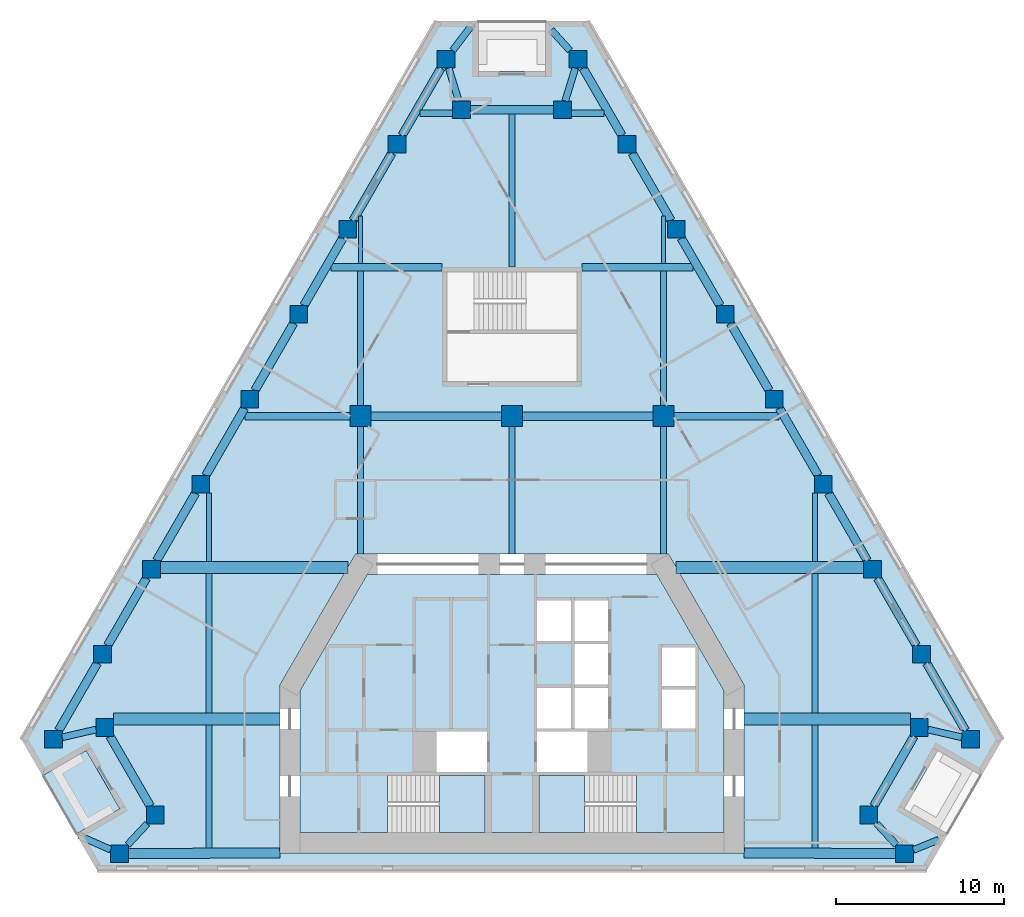
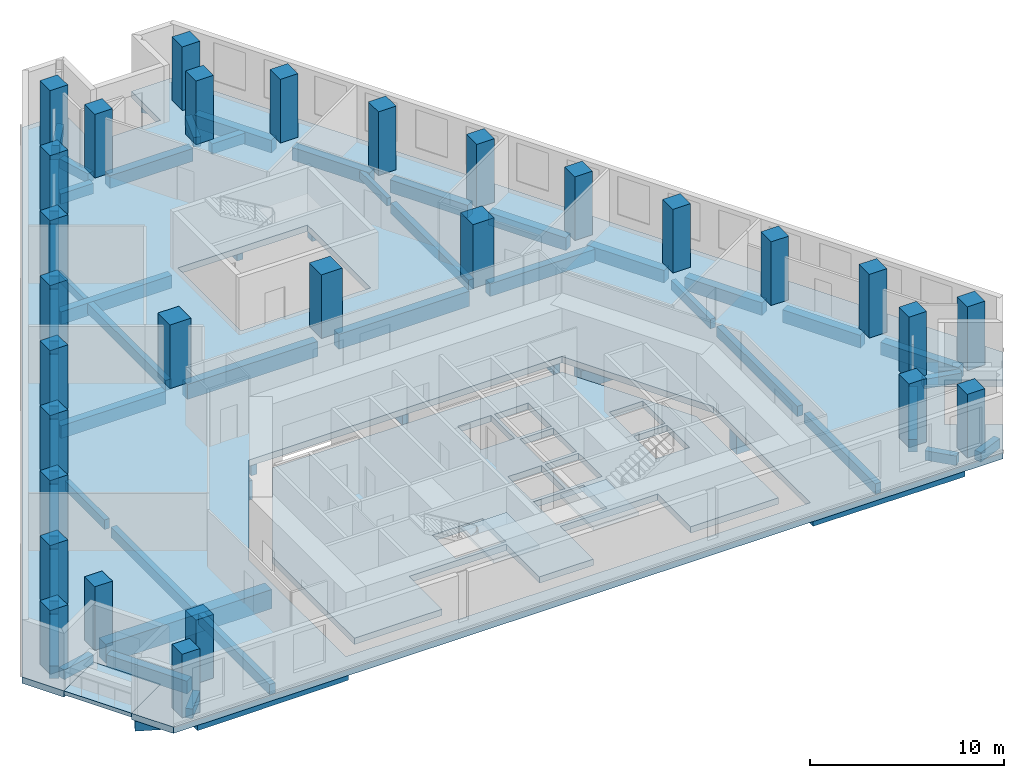
# One storey, part 1 of 9: 57 beams, 29 columns, 5 slabs, 2 elements without a shape of their own.
"""IFC4 building model written with IfcOpenShell, lengths in metres."""

from ifc_helpers import new_model, si_unit, direction, frame, origin, origin_2d, place, context, subcontext, project, spatial, polyline, rectangle, outline, extrude, material, layer, layer_set, material_profile, profile_set, type_object, element, aggregate, save


model = new_model("IFC4")

# Units and contexts
model_context = context("Model", 3, precision=1e-05, world=origin(), true_north=direction((0.0, 1.0)))
body_context = subcontext(model_context, "Body", "Model", "MODEL_VIEW")
ifc_project = project(units=[si_unit("LENGTHUNIT", "METRE"), si_unit("AREAUNIT", "SQUARE_METRE"), si_unit("VOLUMEUNIT", "CUBIC_METRE"), si_unit("PLANEANGLEUNIT", "RADIAN"), si_unit("MASSUNIT", "GRAM", prefix="KILO")], contexts=[model_context])

# Site, building, storey
site_placement = place(None, origin())
site = spatial("IfcSite", under=ifc_project, at=site_placement, CompositionType="ELEMENT")
building_placement = place(site_placement, origin())
building = spatial("IfcBuilding", under=site, at=building_placement, Name="Fogline Exchange Tower", CompositionType="ELEMENT")
storey_placement = place(building_placement, frame((0.0, 0.0, 146.89990234375)))
storey = spatial("IfcBuildingStorey", under=building, at=storey_placement, Name="L32", CompositionType="ELEMENT", Elevation=146.89990234375)

# Columns
ifc_material_1 = material(Name="Concrete C70", Category="concrete")
ifc_material_profile_1 = material_profile(ifc_material_1, rectangle(XDim=1.25, YDim=1.25, at=origin_2d()), Name="RC 1250x1250")
ifc_profile_set_1 = profile_set([ifc_material_profile_1], Name="Concrete C70")
column_type_1 = type_object("IfcColumnType", Name="C03", PredefinedType="COLUMN", material=ifc_profile_set_1)
for number, where, z_axis, x_axis, name in (
    (1, (-9.0, 27.0, 0.0), (0.0, 0.0, 1.0), (1.0, 0.0, 0.0), "IC--9-27"),
    (2, (0.0, 27.0, 0.0), (0.0, 0.0, 1.0), (1.0, 0.0, 0.0), "IC-0-27"),
    (3, (9.0, 27.0, 0.0), (0.0, 0.0, 1.0), (1.0, 0.0, 0.0), "IC-9-27"),
):
    element("IfcColumn", number, at=place(storey_placement, frame(where, z_axis=z_axis, x_axis=x_axis)), inside=storey, type_object=column_type_1, Name=name, PredefinedType="COLUMN", context=body_context, shape_type="SweptSolid", body=[
        extrude(rectangle(XDim=1.25, YDim=1.25, at=origin_2d()), origin(), (0.0, 0.0, 1.0), 4.0),
    ])
ifc_material_profile_2 = material_profile(ifc_material_1, rectangle(XDim=1.050048828125, YDim=1.050048828125, at=origin_2d()), Name="RC 1050x1050")
ifc_profile_set_2 = profile_set([ifc_material_profile_2], Name="Concrete C70")
column_type_2 = type_object("IfcColumnType", Name="C04", PredefinedType="COLUMN", material=ifc_profile_set_2)
for number, where, z_axis, x_axis, name in (
    (4, (-27.2490234375, 7.794189453125, 0.0), (0.0, 0.0, 1.0), (1.0, 0.0, 0.0), "SW-a"),
    (5, (-24.189697265625, 8.4951171875, 0.0), (0.0, 0.0, 1.0), (1.0, 0.0, 0.0), "SW-p4"),
    (6, (-21.189697265625, 3.299072265625, 0.0), (0.0, 0.0, 1.0), (1.0, 0.0, 0.0), "SW-p3"),
    (7, (-23.326416015625, 1.0, 0.0), (0.0, 0.0, 1.0), (1.0, 0.0, 0.0), "SW-b"),
    (8, (23.326416015625, 1.0, 0.0), (0.0, 0.0, 1.0), (1.0, 0.0, 0.0), "SE-a"),
    (9, (21.189697265625, 3.299072265625, 0.0), (0.0, 0.0, 1.0), (1.0, 0.0, 0.0), "SE-p4"),
    (10, (24.189697265625, 8.4951171875, 0.0), (0.0, 0.0, 1.0), (1.0, 0.0, 0.0), "SE-p3"),
    (11, (27.2490234375, 7.794189453125, 0.0), (0.0, 0.0, 1.0), (1.0, 0.0, 0.0), "SE-b"),
    (12, (24.333251953125, 12.844482421875, 0.0), (0.0, 0.0, 1.0), (1.0, 0.0, 0.0), "E1"),
    (13, (21.41748046875, 17.894775390625, 0.0), (0.0, 0.0, 1.0), (1.0, 0.0, 0.0), "E2"),
    (14, (18.501708984375, 22.945068359375, 0.0), (0.0, 0.0, 1.0), (1.0, 0.0, 0.0), "E3"),
    (15, (15.585693359375, 27.995361328125, 0.0), (0.0, 0.0, 1.0), (1.0, 0.0, 0.0), "E4"),
    (16, (12.669921875, 33.045654296875, 0.0), (0.0, 0.0, 1.0), (1.0, 0.0, 0.0), "E5"),
    (17, (9.754150390625, 38.095947265625, 0.0), (0.0, 0.0, 1.0), (1.0, 0.0, 0.0), "E6"),
    (18, (6.83837890625, 43.146240234375, 0.0), (0.0, 0.0, 1.0), (1.0, 0.0, 0.0), "E7"),
    (19, (3.922607421875, 48.19677734375, 0.0), (0.0, 0.0, 1.0), (1.0, 0.0, 0.0), "N-a"),
    (20, (3.0, 45.19677734375, 0.0), (0.0, 0.0, 1.0), (1.0, 0.0, 0.0), "N-p4"),
    (21, (-3.0, 45.19677734375, 0.0), (0.0, 0.0, 1.0), (1.0, 0.0, 0.0), "N-p3"),
    (22, (-3.922607421875, 48.19677734375, 0.0), (0.0, 0.0, 1.0), (1.0, 0.0, 0.0), "N-b"),
    (23, (-6.83837890625, 43.146240234375, 0.0), (0.0, 0.0, 1.0), (1.0, 0.0, 0.0), "W1"),
    (24, (-9.754150390625, 38.095947265625, 0.0), (0.0, 0.0, 1.0), (1.0, 0.0, 0.0), "W2"),
    (25, (-12.669921875, 33.045654296875, 0.0), (0.0, 0.0, 1.0), (1.0, 0.0, 0.0), "W3"),
    (26, (-15.585693359375, 27.995361328125, 0.0), (0.0, 0.0, 1.0), (1.0, 0.0, 0.0), "W4"),
    (27, (-18.501708984375, 22.945068359375, 0.0), (0.0, 0.0, 1.0), (1.0, 0.0, 0.0), "W5"),
    (28, (-21.41748046875, 17.894775390625, 0.0), (0.0, 0.0, 1.0), (1.0, 0.0, 0.0), "W6"),
    (29, (-24.333251953125, 12.844482421875, 0.0), (0.0, 0.0, 1.0), (1.0, 0.0, 0.0), "W7"),
):
    element("IfcColumn", number, at=place(storey_placement, frame(where, z_axis=z_axis, x_axis=x_axis)), inside=storey, type_object=column_type_2, Name=name, PredefinedType="COLUMN", context=body_context, shape_type="SweptSolid", body=[
        extrude(rectangle(XDim=1.050048828125, YDim=1.050048828125, at=origin_2d()), origin(), (0.0, 0.0, 1.0), 4.0),
    ])

# Beams
ifc_material_2 = material(Name="Concrete C40", Category="concrete")
ifc_material_profile_3 = material_profile(ifc_material_2, rectangle(XDim=0.300048828125, YDim=0.60009765625, at=origin_2d()), Name="RC 300x600")
ifc_profile_set_3 = profile_set([ifc_material_profile_3], Name="Concrete C40")
beam_type_1 = type_object("IfcBeamType", Name="B06", PredefinedType="BEAM", material=ifc_profile_set_3)
for number, where, z_axis, x_axis, name in (
    (30, (-18.0, 18.35009765625, -0.699951171875), (0.0, 1.0, 0.0), (-1.0, 0.0, 0.0), "SB003"),
    (31, (18.0, 18.35009765625, -0.699951171875), (0.0, 1.0, 0.0), (-1.0, 0.0, 0.0), "SB014"),
):
    element("IfcBeam", number, at=place(storey_placement, frame(where, z_axis=z_axis, x_axis=x_axis)), inside=storey, type_object=beam_type_1, Name=name, PredefinedType="BEAM", context=body_context, shape_type="SweptSolid", body=[
        extrude(rectangle(XDim=0.300048828125, YDim=0.60009765625, at=origin_2d()), origin(), (0.0, 0.0, 1.0), 4.070068359375),
    ])
ifc_material_profile_4 = material_profile(ifc_material_2, rectangle(XDim=0.25, YDim=0.5, at=origin_2d()), Name="RC 250x500")
ifc_profile_set_4 = profile_set([ifc_material_profile_4], Name="Concrete C40")
beam_type_2 = type_object("IfcBeamType", Name="B08", PredefinedType="BEAM", material=ifc_profile_set_4)
for number, where, z_axis, x_axis, name in (
    (32, (-9.0, 36.08203125, -0.64990234375), (0.0, 1.0, 0.0), (-1.0, 0.0, 0.0), "SB006"),
    (33, (9.0, 36.08203125, -0.64990234375), (0.0, 1.0, 0.0), (-1.0, 0.0, 0.0), "SB011"),
):
    element("IfcBeam", number, at=place(storey_placement, frame(where, z_axis=z_axis, x_axis=x_axis)), inside=storey, type_object=beam_type_2, Name=name, PredefinedType="BEAM", context=body_context, shape_type="SweptSolid", body=[
        extrude(rectangle(XDim=0.25, YDim=0.5, at=origin_2d()), origin(), (0.0, 0.0, 1.0), 2.8203125),
    ])
ifc_material_profile_5 = material_profile(ifc_material_2, rectangle(XDim=0.60009765625, YDim=0.89990234375, at=origin_2d()), Name="RC 600x900")
ifc_profile_set_5 = profile_set([ifc_material_profile_5], Name="Concrete C40")
beam_type_3 = type_object("IfcBeamType", Name="B09", PredefinedType="BEAM", material=ifc_profile_set_5)
for number, where, z_axis, x_axis, name in (
    (34, (-22.801513671875, 1.0, -0.849853515625), (0.999984543136, 0.005559990001, 0.0), (-0.005559990001, 0.999984543136, 0.0), "RB004"),
    (35, (13.800048828125, 1.050048828125, -0.849853515625), (0.999984543136, -0.005559990001, 0.0), (0.005559990001, 0.999984543136, 0.0), "RB005"),
):
    element("IfcBeam", number, at=place(storey_placement, frame(where, z_axis=z_axis, x_axis=x_axis)), inside=storey, type_object=beam_type_3, Name=name, PredefinedType="BEAM", context=body_context, shape_type="SweptSolid", body=[
        extrude(rectangle(XDim=0.60009765625, YDim=0.89990234375, at=origin_2d()), origin(), (0.0, 0.0, 1.0), 9.001708984375),
    ])
ifc_material_profile_6 = material_profile(ifc_material_2, rectangle(XDim=0.5, YDim=0.800048828125, at=origin_2d()), Name="RC 500x800")
ifc_profile_set_6 = profile_set([ifc_material_profile_6], Name="Concrete C40")
beam_type_4 = type_object("IfcBeamType", Name="B10", PredefinedType="BEAM", material=ifc_profile_set_6)
for number, where, z_axis, x_axis, name in (
    (36, (-23.886474609375, 7.97021484375, -0.7998046875), (0.499994660107, -0.866028486751, 0.0), (0.866028486751, 0.499994660107, 0.0), "RB002"),
    (37, (21.49267578125, 3.823974609375, -0.7998046875), (0.499994660107, 0.866028486751, 0.0), (-0.866028486751, 0.499994660107, 0.0), "RB007"),
):
    element("IfcBeam", number, at=place(storey_placement, frame(where, z_axis=z_axis, x_axis=x_axis)), inside=storey, type_object=beam_type_4, Name=name, PredefinedType="BEAM", context=body_context, shape_type="SweptSolid", body=[
        extrude(rectangle(XDim=0.5, YDim=0.800048828125, at=origin_2d()), origin(), (0.0, 0.0, 1.0), 4.78759765625),
    ])
for number, where, z_axis, x_axis, name in (
    (38, (26.94580078125, 8.319091796875, -0.7998046875), (-0.499981705991, 0.866035965578, 0.0), (-0.866035965578, -0.499981705991, 0.0), "RB009"),
    (39, (24.030029296875, 13.369384765625, -0.7998046875), (-0.499981705991, 0.866035965578, 0.0), (-0.866035965578, -0.499981705991, 0.0), "RB010"),
):
    element("IfcBeam", number, at=place(storey_placement, frame(where, z_axis=z_axis, x_axis=x_axis)), inside=storey, type_object=beam_type_4, Name=name, PredefinedType="BEAM", context=body_context, shape_type="SweptSolid", body=[
        extrude(rectangle(XDim=0.5, YDim=0.800048828125, at=origin_2d()), origin(), (0.0, 0.0, 1.0), 4.619384765625),
    ])
for number, where, z_axis, x_axis, name in (
    (40, (21.1142578125, 18.419921875, -0.7998046875), (-0.500004591975, 0.86602275259, 0.0), (-0.86602275259, -0.500004591975, 0.0), "RB011"),
    (41, (18.198486328125, 23.47021484375, -0.7998046875), (-0.500004591975, 0.86602275259, 0.0), (-0.86602275259, -0.500004591975, 0.0), "RB012"),
    (42, (15.28271484375, 28.5205078125, -0.7998046875), (-0.500004591975, 0.86602275259, 0.0), (-0.86602275259, -0.500004591975, 0.0), "RB013"),
    (43, (12.366943359375, 33.57080078125, -0.7998046875), (-0.500004591975, 0.86602275259, 0.0), (-0.86602275259, -0.500004591975, 0.0), "RB014"),
    (44, (9.451171875, 38.62109375, -0.7998046875), (-0.500004591975, 0.86602275259, 0.0), (-0.86602275259, -0.500004591975, 0.0), "RB015"),
    (45, (6.535400390625, 43.67138671875, -0.7998046875), (-0.500004591975, 0.86602275259, 0.0), (-0.86602275259, -0.500004591975, 0.0), "RB016"),
):
    element("IfcBeam", number, at=place(storey_placement, frame(where, z_axis=z_axis, x_axis=x_axis)), inside=storey, type_object=beam_type_4, Name=name, PredefinedType="BEAM", context=body_context, shape_type="SweptSolid", body=[
        extrude(rectangle(XDim=0.5, YDim=0.800048828125, at=origin_2d()), origin(), (0.0, 0.0, 1.0), 4.619140625),
    ])
beam_1_placement = place(storey_placement, frame((2.47509765625, 45.19677734375, -0.7998046875), z_axis=(-1.0, 0.0, 0.0), x_axis=(0.0, -1.0, 0.0)))
element("IfcBeam", 46, at=beam_1_placement, inside=storey, type_object=beam_type_4, Name="RB018", PredefinedType="BEAM", context=body_context, shape_type="SweptSolid", body=[
    extrude(rectangle(XDim=0.5, YDim=0.800048828125, at=origin_2d()), origin(), (0.0, 0.0, 1.0), 4.9501953125),
])
for number, where, z_axis, x_axis, name in (
    (47, (-4.225830078125, 47.671630859375, -0.7998046875), (-0.500004591975, -0.86602275259, 0.0), (0.86602275259, -0.500004591975, 0.0), "RB020"),
    (48, (-7.1416015625, 42.621337890625, -0.7998046875), (-0.500004591975, -0.86602275259, 0.0), (0.86602275259, -0.500004591975, 0.0), "RB021"),
    (49, (-10.057373046875, 37.571044921875, -0.7998046875), (-0.500004591975, -0.86602275259, 0.0), (0.86602275259, -0.500004591975, 0.0), "RB022"),
    (50, (-12.97314453125, 32.520751953125, -0.7998046875), (-0.500004591975, -0.86602275259, 0.0), (0.86602275259, -0.500004591975, 0.0), "RB023"),
    (51, (-15.888916015625, 27.470458984375, -0.7998046875), (-0.500004591975, -0.86602275259, 0.0), (0.86602275259, -0.500004591975, 0.0), "RB024"),
    (52, (-18.8046875, 22.420166015625, -0.7998046875), (-0.500004591975, -0.86602275259, 0.0), (0.86602275259, -0.500004591975, 0.0), "RB025"),
):
    element("IfcBeam", number, at=place(storey_placement, frame(where, z_axis=z_axis, x_axis=x_axis)), inside=storey, type_object=beam_type_4, Name=name, PredefinedType="BEAM", context=body_context, shape_type="SweptSolid", body=[
        extrude(rectangle(XDim=0.5, YDim=0.800048828125, at=origin_2d()), origin(), (0.0, 0.0, 1.0), 4.619140625),
    ])
for number, where, z_axis, x_axis, name in (
    (53, (-21.720458984375, 17.369873046875, -0.7998046875), (-0.499981705991, -0.866035965578, 0.0), (0.866035965578, -0.499981705991, 0.0), "RB026"),
    (54, (-24.63623046875, 12.319580078125, -0.7998046875), (-0.499981705991, -0.866035965578, 0.0), (0.866035965578, -0.499981705991, 0.0), "RB027"),
):
    element("IfcBeam", number, at=place(storey_placement, frame(where, z_axis=z_axis, x_axis=x_axis)), inside=storey, type_object=beam_type_4, Name=name, PredefinedType="BEAM", context=body_context, shape_type="SweptSolid", body=[
        extrude(rectangle(XDim=0.5, YDim=0.800048828125, at=origin_2d()), origin(), (0.0, 0.0, 1.0), 4.619384765625),
    ])
ifc_material_profile_7 = material_profile(ifc_material_2, rectangle(XDim=0.39990234375, YDim=0.60009765625, at=origin_2d()), Name="RC 400x600")
ifc_profile_set_7 = profile_set([ifc_material_profile_7], Name="Concrete C40")
beam_type_5 = type_object("IfcBeamType", Name="B11", PredefinedType="BEAM", material=ifc_profile_set_7)
beam_2_placement = place(storey_placement, frame((-26.72412109375, 7.91455078125, -0.699951171875), z_axis=(0.974739301343, 0.223345683676, 0.0), x_axis=(-0.223345683676, 0.974739301343, 0.0)))
element("IfcBeam", 55, at=beam_2_placement, inside=storey, type_object=beam_type_5, Name="RB001", PredefinedType="BEAM", context=body_context, shape_type="SweptSolid", body=[
    extrude(rectangle(XDim=0.39990234375, YDim=0.60009765625, at=origin_2d()), origin(), (0.0, 0.0, 1.0), 2.0615234375),
])
for number, where, z_axis, x_axis, name in (
    (56, (-21.677490234375, 2.77392578125, -0.699951171875), (-0.680791505026, -0.732477253357, 0.0), (0.732477253357, -0.680791505026, 0.0), "RB003"),
    (57, (22.83837890625, 1.52490234375, -0.699951171875), (-0.680791505026, 0.732477253357, 0.0), (-0.732477253357, -0.680791505026, 0.0), "RB006"),
):
    element("IfcBeam", number, at=place(storey_placement, frame(where, z_axis=z_axis, x_axis=x_axis)), inside=storey, type_object=beam_type_5, Name=name, PredefinedType="BEAM", context=body_context, shape_type="SweptSolid", body=[
        extrude(rectangle(XDim=0.39990234375, YDim=0.60009765625, at=origin_2d()), origin(), (0.0, 0.0, 1.0), 1.705322265625),
    ])
beam_3_placement = place(storey_placement, frame((24.714599609375, 8.375, -0.699951171875), z_axis=(0.974739301343, -0.223345683676, 0.0), x_axis=(0.223345683676, 0.974739301343, 0.0)))
element("IfcBeam", 58, at=beam_3_placement, inside=storey, type_object=beam_type_5, Name="RB008", PredefinedType="BEAM", context=body_context, shape_type="SweptSolid", body=[
    extrude(rectangle(XDim=0.39990234375, YDim=0.60009765625, at=origin_2d()), origin(), (0.0, 0.0, 1.0), 2.0615234375),
])
for number, where, z_axis, x_axis, name in (
    (59, (3.76123046875, 47.671630859375, -0.699951171875), (-0.293917654764, -0.955830744545, 0.0), (0.955830744545, -0.293917654764, 0.0), "RB017"),
    (60, (-3.16162109375, 45.7216796875, -0.699951171875), (-0.293917654764, 0.955830744545, 0.0), (-0.955830744545, -0.293917654764, 0.0), "RB019"),
):
    element("IfcBeam", number, at=place(storey_placement, frame(where, z_axis=z_axis, x_axis=x_axis)), inside=storey, type_object=beam_type_5, Name=name, PredefinedType="BEAM", context=body_context, shape_type="SweptSolid", body=[
        extrude(rectangle(XDim=0.39990234375, YDim=0.60009765625, at=origin_2d()), origin(), (0.0, 0.0, 1.0), 2.0400390625),
    ])
beam_4_placement = place(storey_placement, frame((-3.52587890625, 48.7216796875, -0.699951171875), z_axis=(0.602796218761, 0.797895180238, 0.0), x_axis=(-0.797895180238, 0.602796218761, 0.0)))
element("IfcBeam", 61, at=beam_4_placement, inside=storey, type_object=beam_type_5, Name="SP028", PredefinedType="BEAM", context=body_context, shape_type="SweptSolid", body=[
    extrude(rectangle(XDim=0.39990234375, YDim=0.60009765625, at=origin_2d()), origin(), (0.0, 0.0, 1.0), 1.967041015625),
])
beam_5_placement = place(storey_placement, frame((3.446044921875, 48.7216796875, -0.699951171875), z_axis=(-0.672128040565, 0.740434937781, 0.0), x_axis=(-0.740434937781, -0.672128040565, 0.0)))
element("IfcBeam", 62, at=beam_5_placement, inside=storey, type_object=beam_type_5, Name="SP029", PredefinedType="BEAM", context=body_context, shape_type="SweptSolid", body=[
    extrude(rectangle(XDim=0.39990234375, YDim=0.60009765625, at=origin_2d()), origin(), (0.0, 0.0, 1.0), 1.6513671875),
])
beam_6_placement = place(storey_placement, frame((-23.851318359375, 1.234619140625, -0.699951171875), z_axis=(-0.91310964958, 0.407714076092, 0.0), x_axis=(-0.407714076092, -0.91310964958, 0.0)))
element("IfcBeam", 63, at=beam_6_placement, inside=storey, type_object=beam_type_5, Name="SP030", PredefinedType="BEAM", context=body_context, shape_type="SweptSolid", body=[
    extrude(rectangle(XDim=0.39990234375, YDim=0.60009765625, at=origin_2d()), origin(), (0.0, 0.0, 1.0), 2.069580078125),
])
beam_7_placement = place(storey_placement, frame((23.851318359375, 1.216064453125, -0.699951171875), z_axis=(0.924786898771, 0.380485468661, 0.0), x_axis=(-0.380485468661, 0.924786898771, 0.0)))
element("IfcBeam", 64, at=beam_7_placement, inside=storey, type_object=beam_type_5, Name="SP031", PredefinedType="BEAM", context=body_context, shape_type="SweptSolid", body=[
    extrude(rectangle(XDim=0.39990234375, YDim=0.60009765625, at=origin_2d()), origin(), (0.0, 0.0, 1.0), 1.6259765625),
])
ifc_material_profile_8 = material_profile(ifc_material_2, rectangle(XDim=0.39990234375, YDim=0.64990234375, at=origin_2d()), Name="RC 400x650")
ifc_profile_set_8 = profile_set([ifc_material_profile_8], Name="Concrete C40")
beam_type_6 = type_object("IfcBeamType", Name="B13", PredefinedType="BEAM", material=ifc_profile_set_8)
for number, where, z_axis, x_axis, name in (
    (65, (-5.4794921875, 45.0, -0.724853515625), (1.0, 0.0, 0.0), (0.0, 1.0, 0.0), "GB011"),
    (66, (3.52490234375, 45.0, -0.724853515625), (1.0, 0.0, 0.0), (0.0, 1.0, 0.0), "GB012"),
):
    element("IfcBeam", number, at=place(storey_placement, frame(where, z_axis=z_axis, x_axis=x_axis)), inside=storey, type_object=beam_type_6, Name=name, PredefinedType="BEAM", context=body_context, shape_type="SweptSolid", body=[
        extrude(rectangle(XDim=0.39990234375, YDim=0.64990234375, at=origin_2d()), origin(), (0.0, 0.0, 1.0), 1.95458984375),
    ])
ifc_material_profile_9 = material_profile(ifc_material_2, rectangle(XDim=0.5, YDim=0.949951171875, at=origin_2d()), Name="RC 500x950")
ifc_profile_set_9 = profile_set([ifc_material_profile_9], Name="Concrete C40")
beam_type_7 = type_object("IfcBeamType", Name="B14", PredefinedType="BEAM", material=ifc_profile_set_9)
for number, where, z_axis, x_axis, name in (
    (67, (-8.375, 27.0, -0.875), (1.0, 0.0, 0.0), (0.0, 1.0, 0.0), "GB006"),
    (68, (0.625, 27.0, -0.875), (1.0, 0.0, 0.0), (0.0, 1.0, 0.0), "GB007"),
):
    element("IfcBeam", number, at=place(storey_placement, frame(where, z_axis=z_axis, x_axis=x_axis)), inside=storey, type_object=beam_type_7, Name=name, PredefinedType="BEAM", context=body_context, shape_type="SweptSolid", body=[
        extrude(rectangle(XDim=0.5, YDim=0.949951171875, at=origin_2d()), origin(), (0.0, 0.0, 1.0), 7.75),
    ])
ifc_material_profile_10 = material_profile(ifc_material_2, rectangle(XDim=0.35009765625, YDim=0.64990234375, at=origin_2d()), Name="RC 350x650")
ifc_profile_set_10 = profile_set([ifc_material_profile_10], Name="Concrete C40")
beam_type_8 = type_object("IfcBeamType", Name="B16", PredefinedType="BEAM", material=ifc_profile_set_10)
beam_8_placement = place(storey_placement, frame((-18.0, 1.327880859375, -0.724853515625), z_axis=(0.0, 1.0, 0.0), x_axis=(-1.0, 0.0, 0.0)))
element("IfcBeam", 69, at=beam_8_placement, inside=storey, type_object=beam_type_8, Name="SB001", PredefinedType="BEAM", context=body_context, shape_type="SweptSolid", body=[
    extrude(rectangle(XDim=0.35009765625, YDim=0.64990234375, at=origin_2d()), origin(), (0.0, 0.0, 1.0), 7.322021484375),
])
beam_9_placement = place(storey_placement, frame((-18.0, 9.35009765625, -0.724853515625), z_axis=(0.0, 1.0, 0.0), x_axis=(-1.0, 0.0, 0.0)))
element("IfcBeam", 70, at=beam_9_placement, inside=storey, type_object=beam_type_8, Name="SB002", PredefinedType="BEAM", context=body_context, shape_type="SweptSolid", body=[
    extrude(rectangle(XDim=0.35009765625, YDim=0.64990234375, at=origin_2d()), origin(), (0.0, 0.0, 1.0), 8.2998046875),
])
beam_10_placement = place(storey_placement, frame((-9.0, 18.800048828125, -0.724853515625), z_axis=(0.0, 1.0, 0.0), x_axis=(-1.0, 0.0, 0.0)))
element("IfcBeam", 71, at=beam_10_placement, inside=storey, type_object=beam_type_8, Name="SB004", PredefinedType="BEAM", context=body_context, shape_type="SweptSolid", body=[
    extrude(rectangle(XDim=0.35009765625, YDim=0.64990234375, at=origin_2d()), origin(), (0.0, 0.0, 1.0), 7.574951171875),
])
beam_11_placement = place(storey_placement, frame((-9.0, 27.625, -0.724853515625), z_axis=(0.0, 1.0, 0.0), x_axis=(-1.0, 0.0, 0.0)))
element("IfcBeam", 72, at=beam_11_placement, inside=storey, type_object=beam_type_8, Name="SB005", PredefinedType="BEAM", context=body_context, shape_type="SweptSolid", body=[
    extrude(rectangle(XDim=0.35009765625, YDim=0.64990234375, at=origin_2d()), origin(), (0.0, 0.0, 1.0), 8.007080078125),
])
beam_12_placement = place(storey_placement, frame((0.0, 18.800048828125, -0.724853515625), z_axis=(0.0, 1.0, 0.0), x_axis=(-1.0, 0.0, 0.0)))
element("IfcBeam", 73, at=beam_12_placement, inside=storey, type_object=beam_type_8, Name="SB007", PredefinedType="BEAM", context=body_context, shape_type="SweptSolid", body=[
    extrude(rectangle(XDim=0.35009765625, YDim=0.64990234375, at=origin_2d()), origin(), (0.0, 0.0, 1.0), 7.574951171875),
])
beam_13_placement = place(storey_placement, frame((0.0, 35.85693359375, -0.724853515625), z_axis=(0.0, 1.0, 0.0), x_axis=(-1.0, 0.0, 0.0)))
element("IfcBeam", 74, at=beam_13_placement, inside=storey, type_object=beam_type_8, Name="SB008", PredefinedType="BEAM", context=body_context, shape_type="SweptSolid", body=[
    extrude(rectangle(XDim=0.35009765625, YDim=0.64990234375, at=origin_2d()), origin(), (0.0, 0.0, 1.0), 9.08984375),
])
beam_14_placement = place(storey_placement, frame((9.0, 18.800048828125, -0.724853515625), z_axis=(0.0, 1.0, 0.0), x_axis=(-1.0, 0.0, 0.0)))
element("IfcBeam", 75, at=beam_14_placement, inside=storey, type_object=beam_type_8, Name="SB009", PredefinedType="BEAM", context=body_context, shape_type="SweptSolid", body=[
    extrude(rectangle(XDim=0.35009765625, YDim=0.64990234375, at=origin_2d()), origin(), (0.0, 0.0, 1.0), 7.574951171875),
])
beam_15_placement = place(storey_placement, frame((9.0, 27.625, -0.724853515625), z_axis=(0.0, 1.0, 0.0), x_axis=(-1.0, 0.0, 0.0)))
element("IfcBeam", 76, at=beam_15_placement, inside=storey, type_object=beam_type_8, Name="SB010", PredefinedType="BEAM", context=body_context, shape_type="SweptSolid", body=[
    extrude(rectangle(XDim=0.35009765625, YDim=0.64990234375, at=origin_2d()), origin(), (0.0, 0.0, 1.0), 8.007080078125),
])
beam_16_placement = place(storey_placement, frame((18.0, 1.327880859375, -0.724853515625), z_axis=(0.0, 1.0, 0.0), x_axis=(-1.0, 0.0, 0.0)))
element("IfcBeam", 77, at=beam_16_placement, inside=storey, type_object=beam_type_8, Name="SB012", PredefinedType="BEAM", context=body_context, shape_type="SweptSolid", body=[
    extrude(rectangle(XDim=0.35009765625, YDim=0.64990234375, at=origin_2d()), origin(), (0.0, 0.0, 1.0), 7.322021484375),
])
beam_17_placement = place(storey_placement, frame((18.0, 9.35009765625, -0.724853515625), z_axis=(0.0, 1.0, 0.0), x_axis=(-1.0, 0.0, 0.0)))
element("IfcBeam", 78, at=beam_17_placement, inside=storey, type_object=beam_type_8, Name="SB013", PredefinedType="BEAM", context=body_context, shape_type="SweptSolid", body=[
    extrude(rectangle(XDim=0.35009765625, YDim=0.64990234375, at=origin_2d()), origin(), (0.0, 0.0, 1.0), 8.2998046875),
])
ifc_material_profile_11 = material_profile(ifc_material_2, rectangle(XDim=0.699951171875, YDim=1.199951171875, at=origin_2d()), Name="RC 700x1200")
ifc_profile_set_11 = profile_set([ifc_material_profile_11], Name="Concrete C40")
beam_type_9 = type_object("IfcBeamType", Name="B17", PredefinedType="BEAM", material=ifc_profile_set_11)
for number, where, z_axis, x_axis, name in (
    (79, (-23.66455078125, 9.0, -1.0), (1.0, 0.0, 0.0), (0.0, 1.0, 0.0), "GB001"),
    (80, (13.800048828125, 9.0, -1.0), (1.0, 0.0, 0.0), (0.0, 1.0, 0.0), "GB002"),
):
    element("IfcBeam", number, at=place(storey_placement, frame(where, z_axis=z_axis, x_axis=x_axis)), inside=storey, type_object=beam_type_9, Name=name, PredefinedType="BEAM", context=body_context, shape_type="SweptSolid", body=[
        extrude(rectangle(XDim=0.699951171875, YDim=1.199951171875, at=origin_2d()), origin(), (0.0, 0.0, 1.0), 9.864501953125),
    ])
for number, where, z_axis, x_axis, name in (
    (81, (-20.892333984375, 18.0, -1.0), (1.0, 0.0, 0.0), (0.0, 1.0, 0.0), "GB003"),
    (82, (9.758056640625, 18.0, -1.0), (1.0, 0.0, 0.0), (0.0, 1.0, 0.0), "GB004"),
):
    element("IfcBeam", number, at=place(storey_placement, frame(where, z_axis=z_axis, x_axis=x_axis)), inside=storey, type_object=beam_type_9, Name=name, PredefinedType="BEAM", context=body_context, shape_type="SweptSolid", body=[
        extrude(rectangle(XDim=0.699951171875, YDim=1.199951171875, at=origin_2d()), origin(), (0.0, 0.0, 1.0), 11.13427734375),
    ])
ifc_material_profile_12 = material_profile(ifc_material_2, rectangle(XDim=0.449951171875, YDim=0.800048828125, at=origin_2d()), Name="RC 450x800")
ifc_profile_set_12 = profile_set([ifc_material_profile_12], Name="Concrete C40")
beam_type_10 = type_object("IfcBeamType", Name="B18", PredefinedType="BEAM", material=ifc_profile_set_12)
for number, where, z_axis, x_axis, name in (
    (83, (-15.871826171875, 27.0, -0.7998046875), (1.0, 0.0, 0.0), (0.0, 1.0, 0.0), "GB005"),
    (84, (9.625, 27.0, -0.7998046875), (1.0, 0.0, 0.0), (0.0, 1.0, 0.0), "GB008"),
):
    element("IfcBeam", number, at=place(storey_placement, frame(where, z_axis=z_axis, x_axis=x_axis)), inside=storey, type_object=beam_type_10, Name=name, PredefinedType="BEAM", context=body_context, shape_type="SweptSolid", body=[
        extrude(rectangle(XDim=0.449951171875, YDim=0.800048828125, at=origin_2d()), origin(), (0.0, 0.0, 1.0), 6.246826171875),
    ])
for number, where, z_axis, x_axis, name in (
    (85, (-10.75830078125, 35.85693359375, -0.7998046875), (1.0, 0.0, 0.0), (0.0, 1.0, 0.0), "GB009"),
    (86, (4.14990234375, 35.85693359375, -0.7998046875), (1.0, 0.0, 0.0), (0.0, 1.0, 0.0), "GB010"),
):
    element("IfcBeam", number, at=place(storey_placement, frame(where, z_axis=z_axis, x_axis=x_axis)), inside=storey, type_object=beam_type_10, Name=name, PredefinedType="BEAM", context=body_context, shape_type="SweptSolid", body=[
        extrude(rectangle(XDim=0.449951171875, YDim=0.800048828125, at=origin_2d()), origin(), (0.0, 0.0, 1.0), 6.6083984375),
    ])

# Slabs
ifc_layer_1 = layer(ifc_material_2, 0.25)
ifc_layer_set_1 = layer_set([ifc_layer_1], Name="DK1")
slab_type_1 = type_object("IfcSlabType", Name="DK1", PredefinedType="FLOOR", material=ifc_layer_set_1)
slab_1_placement = place(storey_placement, frame((0.0, 0.0, -0.25)))
element("IfcSlab", 87, at=slab_1_placement, inside=storey, type_object=slab_type_1, Name="Balcony L32 SW", PredefinedType="FLOOR", context=body_context, shape_type="SweptSolid", body=[
    extrude(outline(polyline([(-27.8984375, 5.629150390625), (-25.8984375, 2.1650390625), (-23.30029296875, 3.6650390625), (-25.30029296875, 7.129150390625), (-27.8984375, 5.629150390625)])), origin(), (0.0, 0.0, 1.0), 0.25),
])
ifc_layer_2 = layer(ifc_material_2, 0.39990234375)
ifc_layer_set_2 = layer_set([ifc_layer_2], Name="S03")
slab_type_2 = type_object("IfcSlabType", Name="S03", PredefinedType="FLOOR", material=ifc_layer_set_2)
slab_2_placement = place(storey_placement, frame((0.0, 0.0, -0.39990234375)))
element("IfcSlab", 88, at=slab_2_placement, inside=storey, type_object=slab_type_2, Name="SLAB L32", PredefinedType="FLOOR", context=body_context, shape_type="SweptSolid", body=[
    extrude(outline(polyline([(-2.0, 50.48681640625), (-4.5, 50.48681640625), (-29.1484375, 7.794189453125), (-27.8984375, 5.629150390625), (-25.30029296875, 7.129150390625), (-23.30029296875, 3.6650390625), (-25.8984375, 2.1650390625), (-24.6484375, 0.0), (24.6484375, 0.0), (25.8984375, 2.1650390625), (23.30029296875, 3.6650390625), (25.30029296875, 7.129150390625), (27.8984375, 5.629150390625), (29.1484375, 7.794189453125), (4.5, 50.48681640625), (2.0, 50.48681640625), (2.0, 47.48681640625), (-2.0, 47.48681640625), (-2.0, 50.48681640625)]), holes=[polyline([(13.800048828125, 10.9990234375), (13.800048828125, 1.050048828125), (-13.800048828125, 1.050048828125), (-13.800048828125, 10.9990234375), (-9.296142578125, 18.800048828125), (9.296142578125, 18.800048828125), (13.800048828125, 10.9990234375)]), polyline([(3.85009765625, 35.556884765625), (3.85009765625, 29.056884765625), (-3.85009765625, 29.056884765625), (-3.85009765625, 35.556884765625), (3.85009765625, 35.556884765625)])]), origin(), (0.0, 0.0, 1.0), 0.39990234375),
])
slab_3_placement = place(storey_placement, frame((0.0, 0.0, -0.39990234375)))
element("IfcSlab", 89, at=slab_3_placement, inside=storey, type_object=slab_type_2, Name="Core floor slab", PredefinedType="FLOOR", context=body_context, shape_type="SweptSolid", body=[
    extrude(outline(polyline([(-12.60009765625, 2.25), (-12.60009765625, 10.677490234375), (-8.603271484375, 17.60009765625), (8.603271484375, 17.60009765625), (12.60009765625, 10.677490234375), (12.60009765625, 2.25), (7.389892578125, 2.25), (7.389892578125, 5.64990234375), (1.60009765625, 5.64990234375), (1.60009765625, 2.25), (-1.60009765625, 2.25), (-1.60009765625, 5.64990234375), (-7.389892578125, 5.64990234375), (-7.389892578125, 2.25), (-12.60009765625, 2.25)]), holes=[polyline([(-4.5, 8.25), (-4.5, 5.85009765625), (-1.5, 5.85009765625), (-1.5, 8.25), (-4.5, 8.25)]), polyline([(4.5, 8.25), (1.5, 8.25), (1.5, 5.85009765625), (4.5, 5.85009765625), (4.5, 8.25)]), polyline([(3.5, 10.85009765625), (1.5, 10.85009765625), (1.5, 8.449951171875), (3.5, 8.449951171875), (3.5, 10.85009765625)]), polyline([(1.5, 16.050048828125), (1.5, 13.64990234375), (3.5, 13.64990234375), (3.5, 16.050048828125), (1.5, 16.050048828125)]), polyline([(10.89990234375, 10.75), (8.89990234375, 10.75), (8.89990234375, 8.449951171875), (10.89990234375, 8.449951171875), (10.89990234375, 10.75)]), polyline([(5.699951171875, 10.85009765625), (3.699951171875, 10.85009765625), (3.699951171875, 8.449951171875), (5.699951171875, 8.449951171875), (5.699951171875, 10.85009765625)]), polyline([(8.89990234375, 13.25), (8.89990234375, 10.949951171875), (10.89990234375, 10.949951171875), (10.89990234375, 13.25), (8.89990234375, 13.25)]), polyline([(5.699951171875, 13.449951171875), (3.699951171875, 13.449951171875), (3.699951171875, 11.050048828125), (5.699951171875, 11.050048828125), (5.699951171875, 13.449951171875)]), polyline([(5.699951171875, 16.050048828125), (3.699951171875, 16.050048828125), (3.699951171875, 13.64990234375), (5.699951171875, 13.64990234375), (5.699951171875, 16.050048828125)])]), origin(), (0.0, 0.0, 1.0), 0.39990234375),
])

# Stair, slab
stair_type = type_object("IfcStairType", Name="STR24-1667", PredefinedType="HALF_TURN_STAIR", material=ifc_material_2)
stair_1_placement = place(storey_placement, origin())
stair_1 = element("IfcStair", 90, at=stair_1_placement, inside=storey, type_object=stair_type, Name="Stair ST1", PredefinedType="HALF_TURN_STAIR")
ifc_layer_3 = layer(ifc_material_2, 0.199951171875)
ifc_layer_set_3 = layer_set([ifc_layer_3], Name="SL200")
slab_type_3 = type_object("IfcSlabType", Name="SL200", PredefinedType="LANDING", material=ifc_layer_set_3)
slab_4_placement = place(storey_placement, frame((0.0, 0.0, 1.800048828125)))
slab_4 = element("IfcSlab", 91, at=slab_4_placement, type_object=slab_type_3, Name="ST1 landing 1", PredefinedType="LANDING", context=body_context, shape_type="SweptSolid", body=[
    extrude(outline(polyline([(-4.320068359375, 2.25), (-1.60009765625, 2.25), (-1.60009765625, 5.64990234375), (-4.320068359375, 5.64990234375), (-4.320068359375, 2.25)])), origin(), (0.0, 0.0, 1.0), 0.199951171875),
])
aggregate(stair_1, [slab_4])

stair_2_placement = place(storey_placement, origin())
stair_2 = element("IfcStair", 92, at=stair_2_placement, inside=storey, type_object=stair_type, Name="Stair ST2", PredefinedType="HALF_TURN_STAIR")
slab_5_placement = place(storey_placement, frame((0.0, 0.0, 1.800048828125)))
slab_5 = element("IfcSlab", 93, at=slab_5_placement, type_object=slab_type_3, Name="ST2 landing 1", PredefinedType="LANDING", context=body_context, shape_type="SweptSolid", body=[
    extrude(outline(polyline([(1.60009765625, 2.25), (4.320068359375, 2.25), (4.320068359375, 5.64990234375), (1.60009765625, 5.64990234375), (1.60009765625, 2.25)])), origin(), (0.0, 0.0, 1.0), 0.199951171875),
])
aggregate(stair_2, [slab_5])

save(model, "model.ifc")
